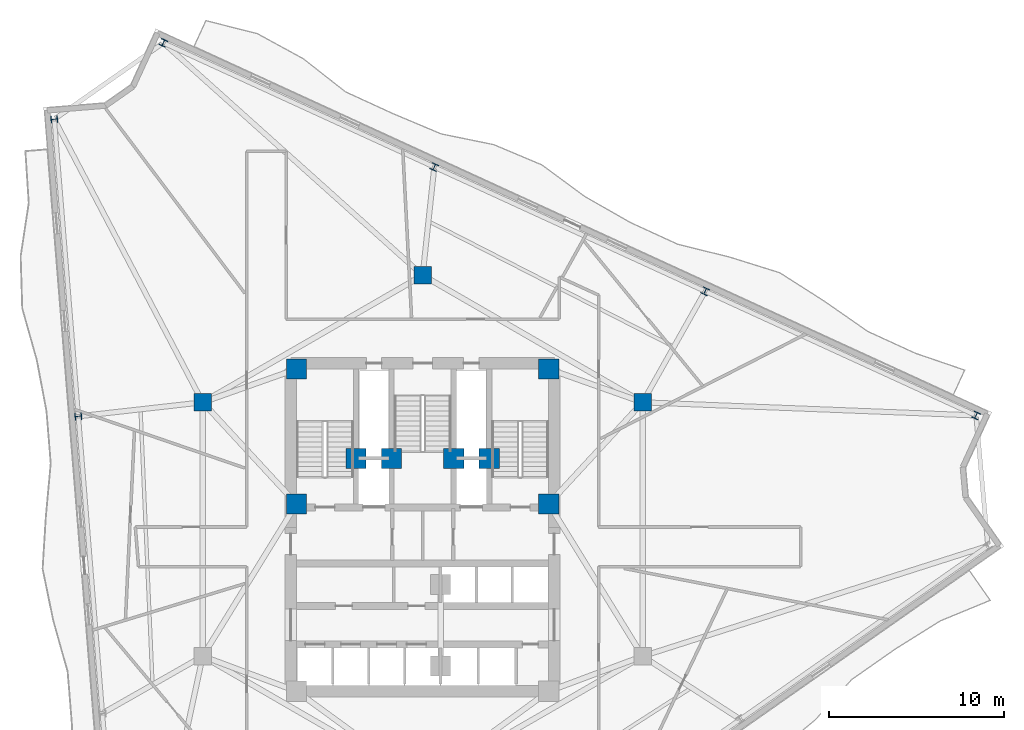
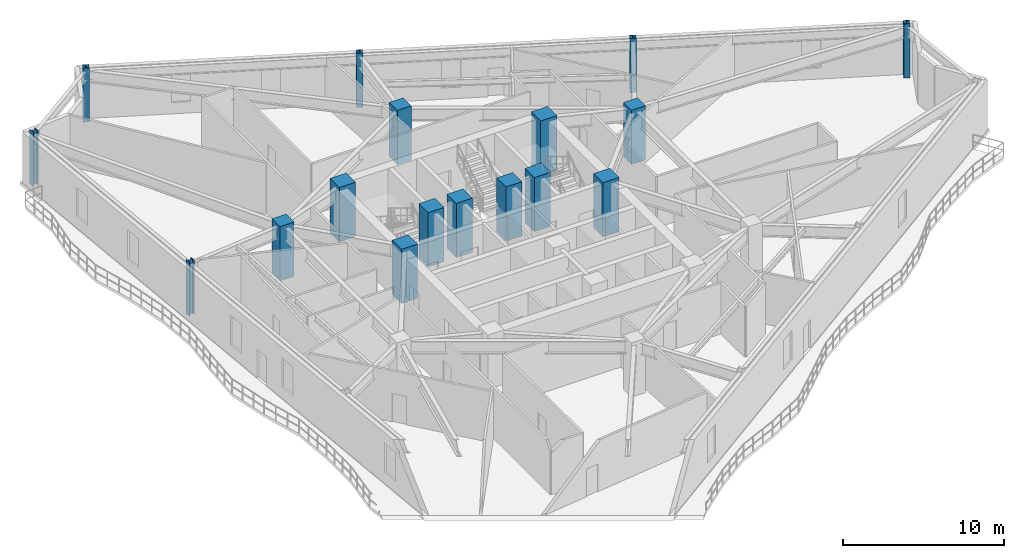
# One storey, part 2 of 12: 17 columns.
"""IFC4 building model written with IfcOpenShell, lengths in metres."""

import ifcopenshell
import ifcopenshell.guid

model = None  # the IFC model being written
_history = None  # IfcOwnerHistory: only IFC2X3 demands one
_inside = {}  # id of a spatial element -> (the spatial element, [elements in it])
_under = {}  # id of a project, library or spatial element -> (it, [spatial elements below it])
_declared = {}  # id of a project -> (the project, [libraries it declares])
_typed = {}  # id of a type object -> (the type object, [elements of that type])
_made_of = {}  # id of a material, layer set ... -> (it, [elements and type objects made of it])


def new_model(schema):
    """Start an empty IFC model of exactly this schema.

    Asked for "IFC4X3", IfcOpenShell would pick the latest addendum, in which some entities
    have other attributes; the version numbers below select the first issue.
    IFC2X3 requires an IfcOwnerHistory on every rooted entity: one is made here for all.
    """
    global model, _history
    if schema == "IFC4X3":
        model = ifcopenshell.file(schema_version=(4, 3, 0, 0))
    else:
        model = ifcopenshell.file(schema=schema)
    _inside.clear()
    _under.clear()
    _declared.clear()
    _typed.clear()
    _made_of.clear()
    _history = None
    if model.schema == "IFC2X3":
        org = make("IfcOrganization", Name="unknown")
        user = make(
            "IfcPersonAndOrganization",
            ThePerson=make("IfcPerson", FamilyName="unknown"),
            TheOrganization=org,
        )
        app = make(
            "IfcApplication",
            ApplicationDeveloper=org,
            Version="unknown",
            ApplicationFullName="unknown",
            ApplicationIdentifier="unknown",
        )
        _history = make(
            "IfcOwnerHistory",
            OwningUser=user,
            OwningApplication=app,
            ChangeAction="ADDED",
            CreationDate=0,
        )
    return model


def make(cls, **values):
    """One entity of the class cls with the attributes given. An attribute that is None is left unset."""
    return model.create_entity(
        cls, **{name: value for name, value in values.items() if value is not None}
    )


def rooted(cls, **values):
    """An entity with a GlobalId (a new one), such as an element, a storey or a relation."""
    return make(cls, GlobalId=ifcopenshell.guid.new(), OwnerHistory=_history, **values)


def si_unit(unit_type, name, prefix=None):
    """IfcSIUnit, for example si_unit("LENGTHUNIT", "METRE", prefix="MILLI")."""
    return make("IfcSIUnit", UnitType=unit_type, Prefix=prefix, Name=name)


def assignment(units):
    """IfcUnitAssignment: the units of a project."""
    return None if units is None else make("IfcUnitAssignment", Units=units)


def point(xyz):
    """IfcCartesianPoint."""
    return None if xyz is None else make("IfcCartesianPoint", Coordinates=xyz)


def direction(xyz):
    """IfcDirection."""
    return None if xyz is None else make("IfcDirection", DirectionRatios=xyz)


def frame(location, z_axis=None, x_axis=None):
    """IfcAxis2Placement3D, a coordinate frame: its origin and axes. An axis left out is left unset."""
    return make(
        "IfcAxis2Placement3D",
        Location=point(location),
        Axis=direction(z_axis),
        RefDirection=direction(x_axis),
    )


def frame_2d(location, x_axis=None):
    """IfcAxis2Placement2D, a coordinate frame in the plane: its origin and x axis."""
    return make(
        "IfcAxis2Placement2D", Location=point(location), RefDirection=direction(x_axis)
    )


def origin():
    """The frame at (0, 0, 0) with its axes left unset."""
    return frame((0.0, 0.0, 0.0))


def origin_2d():
    """The frame at (0, 0) in the plane with its x axis left unset."""
    return frame_2d((0.0, 0.0))


def place(relative_to, where):
    """IfcLocalPlacement: puts the frame where relative to a parent placement (None: the world)."""
    return make(
        "IfcLocalPlacement", PlacementRelTo=relative_to, RelativePlacement=where
    )


def context(
    kind, dimensions, precision=None, world=None, true_north=None, identifier=None
):
    """IfcGeometricRepresentationContext, for example the 3D "Model" context."""
    return make(
        "IfcGeometricRepresentationContext",
        ContextIdentifier=identifier,
        ContextType=kind,
        CoordinateSpaceDimension=dimensions,
        Precision=precision,
        WorldCoordinateSystem=world,
        TrueNorth=true_north,
    )


def subcontext(parent, identifier, kind, view, scale=None):
    """IfcGeometricRepresentationSubContext, for example "Body" below "Model"."""
    return make(
        "IfcGeometricRepresentationSubContext",
        ContextIdentifier=identifier,
        ContextType=kind,
        ParentContext=parent,
        TargetScale=scale,
        TargetView=view,
    )


def project(units=None, contexts=None):
    """IfcProject with its units and contexts."""
    return rooted(
        "IfcProject",
        Name="project",
        RepresentationContexts=contexts,
        UnitsInContext=assignment(units),
    )


def spatial(cls, under=None, at=None, **own):
    """A site, building, storey or space (cls), placed at a placement, below another one or the project."""
    s = rooted(cls, ObjectPlacement=at, **own)
    if under is not None:
        _under.setdefault(under.id(), (under, []))[1].append(s)
    return s


def profile(cls, at=None, kind="AREA", **sizes):
    """A parametric profile (cls). Its sizes go by their IFC names, for example OverallWidth=200.0."""
    return make(cls, ProfileType=kind, Position=at, **sizes)


def rectangle(**sizes):
    """IfcRectangleProfileDef."""
    return profile("IfcRectangleProfileDef", **sizes)


def i_section(**sizes):
    """IfcIShapeProfileDef."""
    return profile("IfcIShapeProfileDef", **sizes)


def extrude(swept, where, along, depth):
    """IfcExtrudedAreaSolid: the profile swept, set in the frame where, extruded along a direction by depth."""
    return make(
        "IfcExtrudedAreaSolid",
        SweptArea=swept,
        Position=where,
        ExtrudedDirection=direction(along),
        Depth=depth,
    )


def shape(context_of_items, identifier, shape_type, items):
    """IfcShapeRepresentation: the items that make up one representation, for example the "Body"."""
    return make(
        "IfcShapeRepresentation",
        ContextOfItems=context_of_items,
        RepresentationIdentifier=identifier,
        RepresentationType=shape_type,
        Items=items,
    )


def material(Name=None, Category=None):
    """IfcMaterial."""
    return make("IfcMaterial", Name=Name, Category=Category)


def material_profile(
    of_material, cross_section, Name=None, Category=None, Priority=None
):
    """IfcMaterialProfile: a cross section and its material."""
    return make(
        "IfcMaterialProfile",
        Name=Name,
        Material=of_material,
        Profile=cross_section,
        Priority=Priority,
        Category=Category,
    )


def profile_set(profiles, Name=None, composite=None):
    """IfcMaterialProfileSet."""
    return make(
        "IfcMaterialProfileSet",
        Name=Name,
        MaterialProfiles=profiles,
        CompositeProfile=composite,
    )


def made_of(thing, what):
    """Note that an element or type object is made of a material, layer set ...; save() writes the relation."""
    if what is not None:
        _made_of.setdefault(what.id(), (what, []))[1].append(thing)
    return thing


def type_object(cls, material=None, **own):
    """A type object (cls), such as IfcWallType, which elements share."""
    return made_of(rooted(cls, **own), material)


def element(
    cls,
    number,
    at=None,
    inside=None,
    cuts=None,
    type_object=None,
    material=None,
    context=None,
    identifier="Body",
    shape_type=None,
    held_by="IfcProductDefinitionShape",
    body=None,
    shapes=None,
    **own,
):
    """One element of the class cls, such as IfcWall. Its Tag is "e" and its number.

    at: its placement. inside: the storey or other place that contains it. cuts: it is an
    opening in that element (IfcRelVoidsElement). A single representation is given by context,
    identifier, shape_type and body (its items); several are given by shapes. held_by: the class
    of the entity that holds the representations. save() writes the other relations.
    """
    e = rooted(cls, Tag="e%d" % number, ObjectPlacement=at, **own)
    if body is not None:
        shapes = [shape(context, identifier, shape_type, body)]
    if shapes is not None:
        e.Representation = make(held_by, Representations=shapes)
    if inside is not None:
        _inside.setdefault(inside.id(), (inside, []))[1].append(e)
    if cuts is not None:
        rooted(
            "IfcRelVoidsElement", RelatingBuildingElement=cuts, RelatedOpeningElement=e
        )
    if type_object is not None:
        _typed.setdefault(type_object.id(), (type_object, []))[1].append(e)
    return made_of(e, material)


def aggregate(whole, parts):
    """IfcRelAggregates: a whole, such as a stair, and the parts it consists of."""
    return rooted("IfcRelAggregates", RelatingObject=whole, RelatedObjects=parts)


def save(model, path):
    """Write the relations noted so far, then the file.

    IfcRelAggregates (storeys below a building ...), IfcRelContainedInSpatialStructure (elements
    in a storey), IfcRelDefinesByType, IfcRelAssociatesMaterial and IfcRelDeclares: one each for
    every whole, place, type object, material and project.
    """
    for whole, parts in _under.values():
        aggregate(whole, parts)
    for where, things in _inside.values():
        rooted(
            "IfcRelContainedInSpatialStructure",
            RelatedElements=things,
            RelatingStructure=where,
        )
    for kind, things in _typed.values():
        rooted("IfcRelDefinesByType", RelatedObjects=things, RelatingType=kind)
    for what, things in _made_of.values():
        rooted("IfcRelAssociatesMaterial", RelatedObjects=things, RelatingMaterial=what)
    for by, libraries in _declared.values():
        rooted("IfcRelDeclares", RelatingContext=by, RelatedDefinitions=libraries)
    model.write(path)


model = new_model("IFC4")

# Units and contexts
model_context = context("Model", 3, precision=1e-05, world=origin(), true_north=direction((0.0, 1.0)))
body_context = subcontext(model_context, "Body", "Model", "MODEL_VIEW")
ifc_project = project(units=[si_unit("LENGTHUNIT", "METRE"), si_unit("AREAUNIT", "SQUARE_METRE"), si_unit("VOLUMEUNIT", "CUBIC_METRE"), si_unit("PLANEANGLEUNIT", "RADIAN"), si_unit("MASSUNIT", "GRAM", prefix="KILO")], contexts=[model_context])

# Site, building, storey
site_placement = place(None, origin())
site = spatial("IfcSite", under=ifc_project, at=site_placement, CompositionType="ELEMENT")
building_placement = place(site_placement, origin())
building = spatial("IfcBuilding", under=site, at=building_placement, Name="Apsidion Concourse Tower", CompositionType="ELEMENT")
storey_placement = place(building_placement, frame((0.0, 0.0, 198.300048828125)))
storey = spatial("IfcBuildingStorey", under=building, at=storey_placement, Name="L46", CompositionType="ELEMENT", Elevation=198.300048828125)

# Columns
ifc_material_1 = material(Name="Concrete C50/60", Category="concrete")
ifc_material_profile_1 = material_profile(ifc_material_1, rectangle(XDim=1.0, YDim=1.0, at=origin_2d()), Name="RC 1000x1000")
ifc_profile_set_1 = profile_set([ifc_material_profile_1], Name="Concrete C50/60")
column_type_1 = type_object("IfcColumnType", Name="COL-RC-1000", PredefinedType="COLUMN", material=ifc_profile_set_1)
for number, where, z_axis, x_axis, name in (
    (1, (12.56005859375, 7.25, 0.0), (0.0, 0.0, 1.0), (1.0, 0.0, 0.0), "L46 Interior Spine Column IC3"),
    (2, (0.0, 14.5, 0.0), (0.0, 0.0, 1.0), (1.0, 0.0, 0.0), "L46 Interior Spine Column IC4"),
    (3, (-12.56005859375, 7.25, 0.0), (0.0, 0.0, 1.0), (1.0, 0.0, 0.0), "L46 Interior Spine Column IC5"),
):
    element("IfcColumn", number, at=place(storey_placement, frame(where, z_axis=z_axis, x_axis=x_axis)), inside=storey, type_object=column_type_1, Name=name, PredefinedType="COLUMN", context=body_context, shape_type="SweptSolid", body=[
        extrude(rectangle(XDim=1.0, YDim=1.0, at=origin_2d()), origin(), (0.0, 0.0, 1.0), 4.099853515625),
    ])
ifc_material_profile_2 = material_profile(ifc_material_1, rectangle(XDim=1.14990234375, YDim=1.14990234375, at=origin_2d()), Name="RC 1150x1150")
ifc_profile_set_2 = profile_set([ifc_material_profile_2], Name="Concrete C50/60")
column_type_2 = type_object("IfcColumnType", Name="COL-RC-1150", PredefinedType="COLUMN", material=ifc_profile_set_2)
for number, where, z_axis, x_axis, name in (
    (4, (7.199951171875, 1.449951171875, 0.0), (0.0, 0.0, 1.0), (1.0, 0.0, 0.0), "L46 Core Super-Column SC3"),
    (5, (7.199951171875, 9.14990234375, 0.0), (0.0, 0.0, 1.0), (1.0, 0.0, 0.0), "L46 Core Super-Column SC4"),
    (6, (-7.199951171875, 9.14990234375, 0.0), (0.0, 0.0, 1.0), (1.0, 0.0, 0.0), "L46 Core Super-Column SC5"),
    (7, (-7.199951171875, 1.449951171875, 0.0), (0.0, 0.0, 1.0), (1.0, 0.0, 0.0), "L46 Core Super-Column SC6"),
    (8, (-3.800048828125, 4.050048828125, 0.0), (0.0, 0.0, 1.0), (1.0, 0.0, 0.0), "L46 Core Super-Column CC1"),
    (9, (3.800048828125, 4.050048828125, 0.0), (0.0, 0.0, 1.0), (1.0, 0.0, 0.0), "L46 Core Super-Column CC2"),
    (10, (-1.77490234375, 4.050048828125, 0.0), (0.0, 0.0, 1.0), (1.0, 0.0, 0.0), "L46 Core Super-Column CC3"),
    (11, (1.77490234375, 4.050048828125, 0.0), (0.0, 0.0, 1.0), (1.0, 0.0, 0.0), "L46 Core Super-Column CC4"),
):
    element("IfcColumn", number, at=place(storey_placement, frame(where, z_axis=z_axis, x_axis=x_axis)), inside=storey, type_object=column_type_2, Name=name, PredefinedType="COLUMN", context=body_context, shape_type="SweptSolid", body=[
        extrude(rectangle(XDim=1.14990234375, YDim=1.14990234375, at=origin_2d()), origin(), (0.0, 0.0, 1.0), 4.099853515625),
    ])
ifc_material_2 = material(Name="Structural steel ASTM A992 Grade 50", Category="steel")
ifc_material_profile_3 = material_profile(ifc_material_2, i_section(OverallWidth=0.39892578125, OverallDepth=0.385986328125, WebThickness=0.02099609375, FlangeThickness=0.033203125, at=origin_2d()), Name="W14X176")
ifc_profile_set_3 = profile_set([ifc_material_profile_3], Name="Structural steel ASTM A992 Grade 50")
column_type_3 = type_object("IfcColumnType", Name="COL-W14-176", PredefinedType="COLUMN", material=ifc_profile_set_3)
for number, where, z_axis, x_axis, name in (
    (12, (-21.03759765625, 23.412841796875, 0.0), (0.0, 0.0, 1.0), (-0.080720825512, 0.996736749763, 0.0), "L46 Rotated Perimeter Column PC01"),
    (13, (-19.66357421875, 6.451171875, 0.0), (0.0, 0.0, 1.0), (-0.080720825512, 0.996736749763, 0.0), "L46 Rotated Perimeter Column PC02"),
    (14, (31.600830078125, 6.499267578125, 0.0), (0.0, 0.0, 1.0), (-0.909018020308, 0.416756810089, 0.0), "L46 Rotated Perimeter Column PC09"),
    (15, (16.132080078125, 13.591796875, 0.0), (0.0, 0.0, 1.0), (-0.909018020308, 0.416756810089, 0.0), "L46 Rotated Perimeter Column PC10"),
    (16, (0.663330078125, 20.68408203125, 0.0), (0.0, 0.0, 1.0), (-0.909018020308, 0.416756810089, 0.0), "L46 Rotated Perimeter Column PC11"),
    (17, (-14.805419921875, 27.776611328125, 0.0), (0.0, 0.0, 1.0), (-0.909018020308, 0.416756810089, 0.0), "L46 Rotated Perimeter Column PC12"),
):
    element("IfcColumn", number, at=place(storey_placement, frame(where, z_axis=z_axis, x_axis=x_axis)), inside=storey, type_object=column_type_3, Name=name, PredefinedType="COLUMN", context=body_context, shape_type="SweptSolid", body=[
        extrude(i_section(OverallWidth=0.39892578125, OverallDepth=0.385986328125, WebThickness=0.02099609375, FlangeThickness=0.033203125, at=origin_2d()), origin(), (0.0, 0.0, 1.0), 4.099853515625),
    ])

save(model, "model.ifc")
